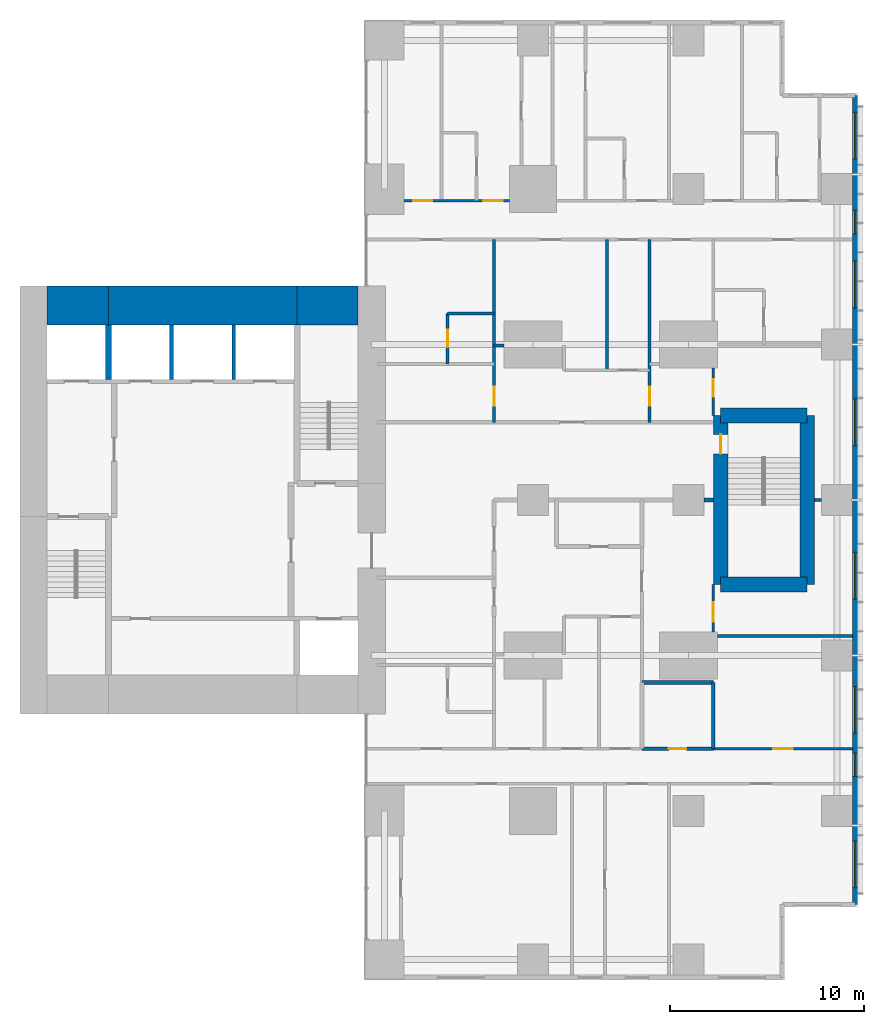
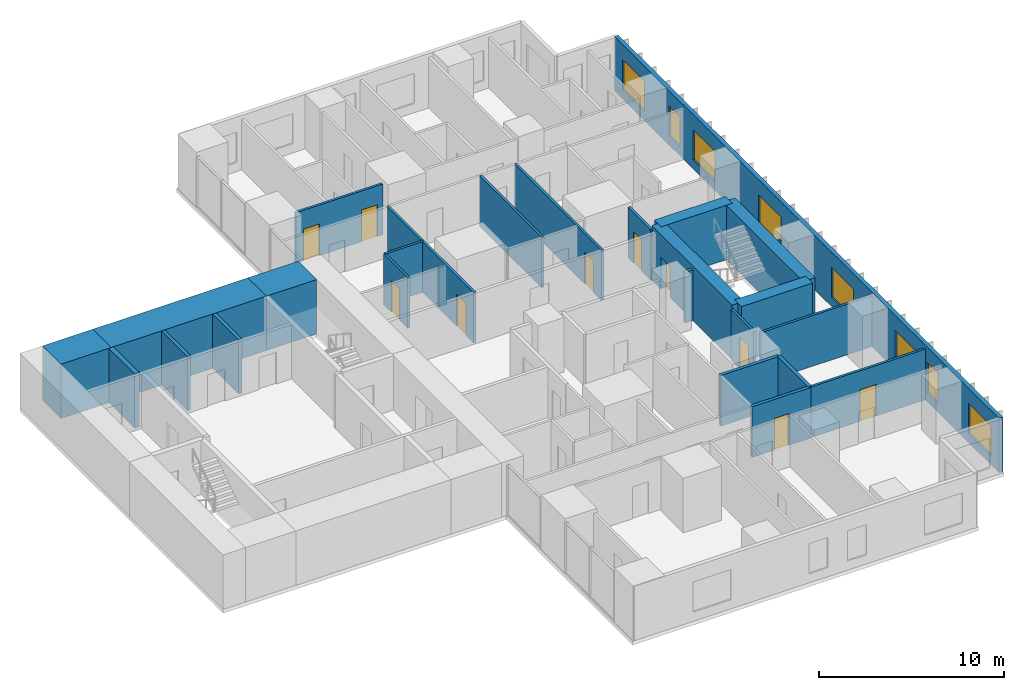
# One storey, part 9 of 12: 27 walls, 10 doors, 8 windows, 18 openings.
"""IFC4 building model written with IfcOpenShell, lengths in metres."""

import ifcopenshell
import ifcopenshell.guid

model = None  # the IFC model being written
_history = None  # IfcOwnerHistory: only IFC2X3 demands one
_inside = {}  # id of a spatial element -> (the spatial element, [elements in it])
_under = {}  # id of a project, library or spatial element -> (it, [spatial elements below it])
_declared = {}  # id of a project -> (the project, [libraries it declares])
_typed = {}  # id of a type object -> (the type object, [elements of that type])
_made_of = {}  # id of a material, layer set ... -> (it, [elements and type objects made of it])


def new_model(schema):
    """Start an empty IFC model of exactly this schema.

    Asked for "IFC4X3", IfcOpenShell would pick the latest addendum, in which some entities
    have other attributes; the version numbers below select the first issue.
    IFC2X3 requires an IfcOwnerHistory on every rooted entity: one is made here for all.
    """
    global model, _history
    if schema == "IFC4X3":
        model = ifcopenshell.file(schema_version=(4, 3, 0, 0))
    else:
        model = ifcopenshell.file(schema=schema)
    _inside.clear()
    _under.clear()
    _declared.clear()
    _typed.clear()
    _made_of.clear()
    _history = None
    if model.schema == "IFC2X3":
        org = make("IfcOrganization", Name="unknown")
        user = make(
            "IfcPersonAndOrganization",
            ThePerson=make("IfcPerson", FamilyName="unknown"),
            TheOrganization=org,
        )
        app = make(
            "IfcApplication",
            ApplicationDeveloper=org,
            Version="unknown",
            ApplicationFullName="unknown",
            ApplicationIdentifier="unknown",
        )
        _history = make(
            "IfcOwnerHistory",
            OwningUser=user,
            OwningApplication=app,
            ChangeAction="ADDED",
            CreationDate=0,
        )
    return model


def make(cls, **values):
    """One entity of the class cls with the attributes given. An attribute that is None is left unset."""
    return model.create_entity(
        cls, **{name: value for name, value in values.items() if value is not None}
    )


def rooted(cls, **values):
    """An entity with a GlobalId (a new one), such as an element, a storey or a relation."""
    return make(cls, GlobalId=ifcopenshell.guid.new(), OwnerHistory=_history, **values)


def si_unit(unit_type, name, prefix=None):
    """IfcSIUnit, for example si_unit("LENGTHUNIT", "METRE", prefix="MILLI")."""
    return make("IfcSIUnit", UnitType=unit_type, Prefix=prefix, Name=name)


def assignment(units):
    """IfcUnitAssignment: the units of a project."""
    return None if units is None else make("IfcUnitAssignment", Units=units)


def point(xyz):
    """IfcCartesianPoint."""
    return None if xyz is None else make("IfcCartesianPoint", Coordinates=xyz)


def direction(xyz):
    """IfcDirection."""
    return None if xyz is None else make("IfcDirection", DirectionRatios=xyz)


def frame(location, z_axis=None, x_axis=None):
    """IfcAxis2Placement3D, a coordinate frame: its origin and axes. An axis left out is left unset."""
    return make(
        "IfcAxis2Placement3D",
        Location=point(location),
        Axis=direction(z_axis),
        RefDirection=direction(x_axis),
    )


def frame_2d(location, x_axis=None):
    """IfcAxis2Placement2D, a coordinate frame in the plane: its origin and x axis."""
    return make(
        "IfcAxis2Placement2D", Location=point(location), RefDirection=direction(x_axis)
    )


def origin():
    """The frame at (0, 0, 0) with its axes left unset."""
    return frame((0.0, 0.0, 0.0))


def place(relative_to, where):
    """IfcLocalPlacement: puts the frame where relative to a parent placement (None: the world)."""
    return make(
        "IfcLocalPlacement", PlacementRelTo=relative_to, RelativePlacement=where
    )


def context(
    kind, dimensions, precision=None, world=None, true_north=None, identifier=None
):
    """IfcGeometricRepresentationContext, for example the 3D "Model" context."""
    return make(
        "IfcGeometricRepresentationContext",
        ContextIdentifier=identifier,
        ContextType=kind,
        CoordinateSpaceDimension=dimensions,
        Precision=precision,
        WorldCoordinateSystem=world,
        TrueNorth=true_north,
    )


def subcontext(parent, identifier, kind, view, scale=None):
    """IfcGeometricRepresentationSubContext, for example "Body" below "Model"."""
    return make(
        "IfcGeometricRepresentationSubContext",
        ContextIdentifier=identifier,
        ContextType=kind,
        ParentContext=parent,
        TargetScale=scale,
        TargetView=view,
    )


def project(units=None, contexts=None):
    """IfcProject with its units and contexts."""
    return rooted(
        "IfcProject",
        Name="project",
        RepresentationContexts=contexts,
        UnitsInContext=assignment(units),
    )


def spatial(cls, under=None, at=None, **own):
    """A site, building, storey or space (cls), placed at a placement, below another one or the project."""
    s = rooted(cls, ObjectPlacement=at, **own)
    if under is not None:
        _under.setdefault(under.id(), (under, []))[1].append(s)
    return s


def profile(cls, at=None, kind="AREA", **sizes):
    """A parametric profile (cls). Its sizes go by their IFC names, for example OverallWidth=200.0."""
    return make(cls, ProfileType=kind, Position=at, **sizes)


def rectangle(**sizes):
    """IfcRectangleProfileDef."""
    return profile("IfcRectangleProfileDef", **sizes)


def extrude(swept, where, along, depth):
    """IfcExtrudedAreaSolid: the profile swept, set in the frame where, extruded along a direction by depth."""
    return make(
        "IfcExtrudedAreaSolid",
        SweptArea=swept,
        Position=where,
        ExtrudedDirection=direction(along),
        Depth=depth,
    )


def shape(context_of_items, identifier, shape_type, items):
    """IfcShapeRepresentation: the items that make up one representation, for example the "Body"."""
    return make(
        "IfcShapeRepresentation",
        ContextOfItems=context_of_items,
        RepresentationIdentifier=identifier,
        RepresentationType=shape_type,
        Items=items,
    )


def material(Name=None, Category=None):
    """IfcMaterial."""
    return make("IfcMaterial", Name=Name, Category=Category)


def layer(
    of_material, thickness, ventilated=None, Name=None, Category=None, Priority=None
):
    """IfcMaterialLayer: one layer of a wall or slab, of a material (None: an air gap)."""
    return make(
        "IfcMaterialLayer",
        Material=of_material,
        LayerThickness=thickness,
        IsVentilated=ventilated,
        Name=Name,
        Category=Category,
        Priority=Priority,
    )


def layer_set(layers, Name=None):
    """IfcMaterialLayerSet."""
    return make("IfcMaterialLayerSet", MaterialLayers=layers, LayerSetName=Name)


def made_of(thing, what):
    """Note that an element or type object is made of a material, layer set ...; save() writes the relation."""
    if what is not None:
        _made_of.setdefault(what.id(), (what, []))[1].append(thing)
    return thing


def type_object(cls, material=None, **own):
    """A type object (cls), such as IfcWallType, which elements share."""
    return made_of(rooted(cls, **own), material)


def element(
    cls,
    number,
    at=None,
    inside=None,
    cuts=None,
    type_object=None,
    material=None,
    context=None,
    identifier="Body",
    shape_type=None,
    held_by="IfcProductDefinitionShape",
    body=None,
    shapes=None,
    **own,
):
    """One element of the class cls, such as IfcWall. Its Tag is "e" and its number.

    at: its placement. inside: the storey or other place that contains it. cuts: it is an
    opening in that element (IfcRelVoidsElement). A single representation is given by context,
    identifier, shape_type and body (its items); several are given by shapes. held_by: the class
    of the entity that holds the representations. save() writes the other relations.
    """
    e = rooted(cls, Tag="e%d" % number, ObjectPlacement=at, **own)
    if body is not None:
        shapes = [shape(context, identifier, shape_type, body)]
    if shapes is not None:
        e.Representation = make(held_by, Representations=shapes)
    if inside is not None:
        _inside.setdefault(inside.id(), (inside, []))[1].append(e)
    if cuts is not None:
        rooted(
            "IfcRelVoidsElement", RelatingBuildingElement=cuts, RelatedOpeningElement=e
        )
    if type_object is not None:
        _typed.setdefault(type_object.id(), (type_object, []))[1].append(e)
    return made_of(e, material)


def fill(opening, filler):
    """IfcRelFillsElement: the door or window that sits in an opening."""
    return rooted(
        "IfcRelFillsElement",
        RelatingOpeningElement=opening,
        RelatedBuildingElement=filler,
    )


def aggregate(whole, parts):
    """IfcRelAggregates: a whole, such as a stair, and the parts it consists of."""
    return rooted("IfcRelAggregates", RelatingObject=whole, RelatedObjects=parts)


def save(model, path):
    """Write the relations noted so far, then the file.

    IfcRelAggregates (storeys below a building ...), IfcRelContainedInSpatialStructure (elements
    in a storey), IfcRelDefinesByType, IfcRelAssociatesMaterial and IfcRelDeclares: one each for
    every whole, place, type object, material and project.
    """
    for whole, parts in _under.values():
        aggregate(whole, parts)
    for where, things in _inside.values():
        rooted(
            "IfcRelContainedInSpatialStructure",
            RelatedElements=things,
            RelatingStructure=where,
        )
    for kind, things in _typed.values():
        rooted("IfcRelDefinesByType", RelatedObjects=things, RelatingType=kind)
    for what, things in _made_of.values():
        rooted("IfcRelAssociatesMaterial", RelatedObjects=things, RelatingMaterial=what)
    for by, libraries in _declared.values():
        rooted("IfcRelDeclares", RelatingContext=by, RelatedDefinitions=libraries)
    model.write(path)


model = new_model("IFC4")

# Units and contexts
model_context = context("Model", 3, precision=1e-05, world=origin(), true_north=direction((0.0, 1.0)))
body_context = subcontext(model_context, "Body", "Model", "MODEL_VIEW")
ifc_project = project(units=[si_unit("LENGTHUNIT", "METRE"), si_unit("AREAUNIT", "SQUARE_METRE"), si_unit("VOLUMEUNIT", "CUBIC_METRE"), si_unit("PLANEANGLEUNIT", "RADIAN"), si_unit("MASSUNIT", "GRAM", prefix="KILO")], contexts=[model_context])

# Site, building, storey
site_placement = place(None, origin())
site = spatial("IfcSite", under=ifc_project, at=site_placement, CompositionType="ELEMENT")
building_placement = place(site_placement, origin())
building = spatial("IfcBuilding", under=site, at=building_placement, Name="Cleftline Residences", CompositionType="ELEMENT")
storey_placement = place(building_placement, frame((0.0, 0.0, 255.60009765625)))
storey = spatial("IfcBuildingStorey", under=building, at=storey_placement, Name="L67", CompositionType="ELEMENT", Elevation=255.60009765625)

# Walls
ifc_material_1 = material(Name="Concrete B70", Category="concrete")
ifc_layer_1 = layer(ifc_material_1, 2.0)
ifc_layer_set_1 = layer_set([ifc_layer_1], Name="CORE WALL 2000")
wall_type_1 = type_object("IfcWallType", Name="CORE WALL 2000", PredefinedType="SHEAR", material=ifc_layer_set_1)
wall_1_placement = place(storey_placement, frame((25.0, 34.0, 0.0), z_axis=(0.0, 0.0, 1.0), x_axis=(1.0, 0.0, 0.0)))
element("IfcWall", 1, at=wall_1_placement, inside=storey, type_object=wall_type_1, Name="Core wall N1", PredefinedType="SHEAR", context=body_context, shape_type="SweptSolid", body=[
    extrude(rectangle(XDim=3.14990234375, YDim=2.0, at=frame_2d((1.574951171875, 0.0))), origin(), (0.0, 0.0, 1.0), 3.599853515625),
])
wall_2_placement = place(storey_placement, frame((28.14990234375, 34.0, 0.0), z_axis=(0.0, 0.0, 1.0), x_axis=(1.0, 0.0, 0.0)))
element("IfcWall", 2, at=wall_2_placement, inside=storey, type_object=wall_type_1, Name="Core wall N2", PredefinedType="SHEAR", context=body_context, shape_type="SweptSolid", body=[
    extrude(rectangle(XDim=9.7001953125, YDim=2.0, at=frame_2d((4.85009765625, 0.0))), origin(), (0.0, 0.0, 1.0), 3.599853515625),
])
wall_3_placement = place(storey_placement, frame((37.85009765625, 34.0, 0.0), z_axis=(0.0, 0.0, 1.0), x_axis=(1.0, 0.0, 0.0)))
element("IfcWall", 3, at=wall_3_placement, inside=storey, type_object=wall_type_1, Name="Core wall N3", PredefinedType="SHEAR", context=body_context, shape_type="SweptSolid", body=[
    extrude(rectangle(XDim=3.14990234375, YDim=2.0, at=frame_2d((1.574951171875, 0.0))), origin(), (0.0, 0.0, 1.0), 3.599853515625),
])
ifc_material_2 = material(Name="Concrete B70", Category="concrete")
ifc_layer_2 = layer(ifc_material_2, 0.300048828125)
ifc_layer_set_2 = layer_set([ifc_layer_2], Name="CORE WALL 300")
wall_type_2 = type_object("IfcWallType", Name="CORE WALL 300", PredefinedType="SHEAR", material=ifc_layer_set_2)
wall_4_placement = place(storey_placement, frame((28.14990234375, 30.199951171875, 0.0), z_axis=(0.0, 0.0, 1.0), x_axis=(0.0, 1.0, 0.0)))
element("IfcWall", 4, at=wall_4_placement, inside=storey, type_object=wall_type_2, Name="Lift shaft wall", PredefinedType="SHEAR", context=body_context, shape_type="SweptSolid", body=[
    extrude(rectangle(XDim=2.800048828125, YDim=0.300048828125, at=frame_2d((1.39990234375, 0.0))), origin(), (0.0, 0.0, 1.0), 3.599853515625),
])

# Wall, openings, windows
ifc_material_3 = material(Name="Rendered reinforced concrete blockwork", Category="masonry")
ifc_layer_3 = layer(ifc_material_3, 0.25)
ifc_layer_set_3 = layer_set([ifc_layer_3], Name="EXTERNAL WALL 250")
wall_type_3 = type_object("IfcWallType", Name="EXTERNAL WALL 250", PredefinedType="SOLIDWALL", material=ifc_layer_set_3)
wall_5_placement = place(storey_placement, frame((66.574951171875, 3.175048828125, 0.0), z_axis=(0.0, 0.0, 1.0), x_axis=(0.0, 1.0, 0.0)))
wall_5 = element("IfcWall", 5, at=wall_5_placement, inside=storey, type_object=wall_type_3, Name="External wall", PredefinedType="SOLIDWALL", context=body_context, shape_type="SweptSolid", body=[
    extrude(rectangle(XDim=41.64990234375, YDim=0.25, at=frame_2d((20.824951171875, 0.0))), origin(), (0.0, 0.0, 1.0), 3.599853515625),
])
opening_1_placement = place(wall_5_placement, frame((0.875, 0.0, 0.60009765625)))
opening_1 = element("IfcOpeningElement", 6, at=opening_1_placement, cuts=wall_5, Name="Opening W6", PredefinedType="OPENING", context=body_context, shape_type="SweptSolid", body=[
    extrude(rectangle(XDim=2.39990234375, YDim=2.0, at=frame_2d((1.199951171875, 1.0))), frame((0.0, 0.135009765625, 0.0), z_axis=(0.0, -1.0, 0.0), x_axis=(1.0, 0.0, 0.0)), (0.0, 0.0, 1.0), 0.27001953125),
])
opening_2_placement = place(wall_5_placement, frame((6.60009765625, 0.0, 0.60009765625)))
opening_2 = element("IfcOpeningElement", 7, at=opening_2_placement, cuts=wall_5, Name="Opening W8", PredefinedType="OPENING", context=body_context, shape_type="SweptSolid", body=[
    extrude(rectangle(XDim=1.199951171875, YDim=2.0, at=frame_2d((0.60009765625, 1.0))), frame((0.0, 0.135009765625, 0.0), z_axis=(0.0, -1.0, 0.0), x_axis=(1.0, 0.0, 0.0)), (0.0, 0.0, 1.0), 0.27001953125),
])
opening_3_placement = place(wall_5_placement, frame((8.824951171875, 0.0, 0.60009765625)))
opening_3 = element("IfcOpeningElement", 8, at=opening_3_placement, cuts=wall_5, Name="Opening W6", PredefinedType="OPENING", context=body_context, shape_type="SweptSolid", body=[
    extrude(rectangle(XDim=2.39990234375, YDim=2.0, at=frame_2d((1.199951171875, 1.0))), frame((0.0, 0.135009765625, 0.0), z_axis=(0.0, -1.0, 0.0), x_axis=(1.0, 0.0, 0.0)), (0.0, 0.0, 1.0), 0.27001953125),
])
opening_4_placement = place(wall_5_placement, frame((15.72509765625, 0.0, 0.60009765625)))
opening_4 = element("IfcOpeningElement", 9, at=opening_4_placement, cuts=wall_5, Name="Opening W6", PredefinedType="OPENING", context=body_context, shape_type="SweptSolid", body=[
    extrude(rectangle(XDim=2.39990234375, YDim=2.0, at=frame_2d((1.199951171875, 1.0))), frame((0.0, 0.135009765625, 0.0), z_axis=(0.0, -1.0, 0.0), x_axis=(1.0, 0.0, 0.0)), (0.0, 0.0, 1.0), 0.27001953125),
])
opening_5_placement = place(wall_5_placement, frame((23.625, 0.0, 0.60009765625)))
opening_5 = element("IfcOpeningElement", 10, at=opening_5_placement, cuts=wall_5, Name="Opening W6", PredefinedType="OPENING", context=body_context, shape_type="SweptSolid", body=[
    extrude(rectangle(XDim=2.39990234375, YDim=2.0, at=frame_2d((1.199951171875, 1.0))), frame((0.0, 0.135009765625, 0.0), z_axis=(0.0, -1.0, 0.0), x_axis=(1.0, 0.0, 0.0)), (0.0, 0.0, 1.0), 0.27001953125),
])
opening_6_placement = place(wall_5_placement, frame((30.72509765625, 0.0, 0.60009765625)))
opening_6 = element("IfcOpeningElement", 11, at=opening_6_placement, cuts=wall_5, Name="Opening W6", PredefinedType="OPENING", context=body_context, shape_type="SweptSolid", body=[
    extrude(rectangle(XDim=2.39990234375, YDim=2.0, at=frame_2d((1.199951171875, 1.0))), frame((0.0, 0.135009765625, 0.0), z_axis=(0.0, -1.0, 0.0), x_axis=(1.0, 0.0, 0.0)), (0.0, 0.0, 1.0), 0.27001953125),
])
opening_7_placement = place(wall_5_placement, frame((34.52490234375, 0.0, 0.60009765625)))
opening_7 = element("IfcOpeningElement", 12, at=opening_7_placement, cuts=wall_5, Name="Opening W8", PredefinedType="OPENING", context=body_context, shape_type="SweptSolid", body=[
    extrude(rectangle(XDim=1.199951171875, YDim=2.0, at=frame_2d((0.60009765625, 1.0))), frame((0.0, 0.135009765625, 0.0), z_axis=(0.0, -1.0, 0.0), x_axis=(1.0, 0.0, 0.0)), (0.0, 0.0, 1.0), 0.27001953125),
])
opening_8_placement = place(wall_5_placement, frame((38.375, 0.0, 0.60009765625)))
opening_8 = element("IfcOpeningElement", 13, at=opening_8_placement, cuts=wall_5, Name="Opening W6", PredefinedType="OPENING", context=body_context, shape_type="SweptSolid", body=[
    extrude(rectangle(XDim=2.39990234375, YDim=2.0, at=frame_2d((1.199951171875, 1.0))), frame((0.0, 0.135009765625, 0.0), z_axis=(0.0, -1.0, 0.0), x_axis=(1.0, 0.0, 0.0)), (0.0, 0.0, 1.0), 0.27001953125),
])
ifc_material_4 = material(Name="Aluminium frame, clear double glazing", Category="aluminium")
window_type_1 = type_object("IfcWindowType", Name="WINDOW 1200X2000", PartitioningType="DOUBLE_PANEL_VERTICAL", PredefinedType="WINDOW", material=ifc_material_4)
window_1_placement = place(opening_2_placement, origin())
window_1 = element("IfcWindow", 14, at=window_1_placement, inside=storey, type_object=window_type_1, Name="Window", OverallHeight=2.0, OverallWidth=1.199951171875, PartitioningType="SINGLE_PANEL", PredefinedType="WINDOW", context=body_context, shape_type="SweptSolid", body=[
    extrude(rectangle(XDim=1.199951171875, YDim=2.0, at=frame_2d((0.60009765625, 1.0))), frame((0.0, 0.030029296875, 0.0), z_axis=(0.0, -1.0, 0.0), x_axis=(1.0, 0.0, 0.0)), (0.0, 0.0, 1.0), 0.06005859375),
])
fill(opening_2, window_1)
window_2_placement = place(opening_7_placement, origin())
window_2 = element("IfcWindow", 15, at=window_2_placement, inside=storey, type_object=window_type_1, Name="Window", OverallHeight=2.0, OverallWidth=1.199951171875, PartitioningType="SINGLE_PANEL", PredefinedType="WINDOW", context=body_context, shape_type="SweptSolid", body=[
    extrude(rectangle(XDim=1.199951171875, YDim=2.0, at=frame_2d((0.60009765625, 1.0))), frame((0.0, 0.030029296875, 0.0), z_axis=(0.0, -1.0, 0.0), x_axis=(1.0, 0.0, 0.0)), (0.0, 0.0, 1.0), 0.06005859375),
])
fill(opening_7, window_2)
ifc_material_5 = material(Name="Aluminium frame, clear double glazing", Category="aluminium")
window_type_2 = type_object("IfcWindowType", Name="WINDOW 2400X2000", PartitioningType="DOUBLE_PANEL_VERTICAL", PredefinedType="WINDOW", material=ifc_material_5)
window_3_placement = place(opening_1_placement, origin())
window_3 = element("IfcWindow", 16, at=window_3_placement, inside=storey, type_object=window_type_2, Name="Window", OverallHeight=2.0, OverallWidth=2.39990234375, PartitioningType="SINGLE_PANEL", PredefinedType="WINDOW", context=body_context, shape_type="SweptSolid", body=[
    extrude(rectangle(XDim=2.39990234375, YDim=2.0, at=frame_2d((1.199951171875, 1.0))), frame((0.0, 0.030029296875, 0.0), z_axis=(0.0, -1.0, 0.0), x_axis=(1.0, 0.0, 0.0)), (0.0, 0.0, 1.0), 0.06005859375),
])
fill(opening_1, window_3)
window_4_placement = place(opening_3_placement, origin())
window_4 = element("IfcWindow", 17, at=window_4_placement, inside=storey, type_object=window_type_2, Name="Window", OverallHeight=2.0, OverallWidth=2.39990234375, PartitioningType="SINGLE_PANEL", PredefinedType="WINDOW", context=body_context, shape_type="SweptSolid", body=[
    extrude(rectangle(XDim=2.39990234375, YDim=2.0, at=frame_2d((1.199951171875, 1.0))), frame((0.0, 0.030029296875, 0.0), z_axis=(0.0, -1.0, 0.0), x_axis=(1.0, 0.0, 0.0)), (0.0, 0.0, 1.0), 0.06005859375),
])
fill(opening_3, window_4)
window_5_placement = place(opening_4_placement, origin())
window_5 = element("IfcWindow", 18, at=window_5_placement, inside=storey, type_object=window_type_2, Name="Window", OverallHeight=2.0, OverallWidth=2.39990234375, PartitioningType="SINGLE_PANEL", PredefinedType="WINDOW", context=body_context, shape_type="SweptSolid", body=[
    extrude(rectangle(XDim=2.39990234375, YDim=2.0, at=frame_2d((1.199951171875, 1.0))), frame((0.0, 0.030029296875, 0.0), z_axis=(0.0, -1.0, 0.0), x_axis=(1.0, 0.0, 0.0)), (0.0, 0.0, 1.0), 0.06005859375),
])
fill(opening_4, window_5)
window_6_placement = place(opening_5_placement, origin())
window_6 = element("IfcWindow", 19, at=window_6_placement, inside=storey, type_object=window_type_2, Name="Window", OverallHeight=2.0, OverallWidth=2.39990234375, PartitioningType="SINGLE_PANEL", PredefinedType="WINDOW", context=body_context, shape_type="SweptSolid", body=[
    extrude(rectangle(XDim=2.39990234375, YDim=2.0, at=frame_2d((1.199951171875, 1.0))), frame((0.0, 0.030029296875, 0.0), z_axis=(0.0, -1.0, 0.0), x_axis=(1.0, 0.0, 0.0)), (0.0, 0.0, 1.0), 0.06005859375),
])
fill(opening_5, window_6)
window_7_placement = place(opening_6_placement, origin())
window_7 = element("IfcWindow", 20, at=window_7_placement, inside=storey, type_object=window_type_2, Name="Window", OverallHeight=2.0, OverallWidth=2.39990234375, PartitioningType="SINGLE_PANEL", PredefinedType="WINDOW", context=body_context, shape_type="SweptSolid", body=[
    extrude(rectangle(XDim=2.39990234375, YDim=2.0, at=frame_2d((1.199951171875, 1.0))), frame((0.0, 0.030029296875, 0.0), z_axis=(0.0, -1.0, 0.0), x_axis=(1.0, 0.0, 0.0)), (0.0, 0.0, 1.0), 0.06005859375),
])
fill(opening_6, window_7)
window_8_placement = place(opening_8_placement, origin())
window_8 = element("IfcWindow", 21, at=window_8_placement, inside=storey, type_object=window_type_2, Name="Window", OverallHeight=2.0, OverallWidth=2.39990234375, PartitioningType="SINGLE_PANEL", PredefinedType="WINDOW", context=body_context, shape_type="SweptSolid", body=[
    extrude(rectangle(XDim=2.39990234375, YDim=2.0, at=frame_2d((1.199951171875, 1.0))), frame((0.0, 0.030029296875, 0.0), z_axis=(0.0, -1.0, 0.0), x_axis=(1.0, 0.0, 0.0)), (0.0, 0.0, 1.0), 0.06005859375),
])
fill(opening_8, window_8)

# Wall, opening, door
ifc_material_6 = material(Name="Concrete blockwork, fire rated", Category="masonry")
ifc_layer_4 = layer(ifc_material_6, 0.199951171875)
ifc_layer_set_4 = layer_set([ifc_layer_4], Name="FIRE WALL 200")
wall_type_4 = type_object("IfcWallType", Name="FIRE WALL 200", PredefinedType="PARTITIONING", material=ifc_layer_set_4)
wall_6_placement = place(storey_placement, frame((55.60009765625, 11.199951171875, 0.0), z_axis=(0.0, 0.0, 1.0), x_axis=(1.0, 0.0, 0.0)))
wall_6 = element("IfcWall", 22, at=wall_6_placement, inside=storey, type_object=wall_type_4, Name="Fire separating wall", PredefinedType="PARTITIONING", context=body_context, shape_type="SweptSolid", body=[
    extrude(rectangle(XDim=3.6748046875, YDim=0.199951171875, at=frame_2d((1.83740234375, 0.0))), origin(), (0.0, 0.0, 1.0), 3.349853515625),
])
opening_9_placement = place(wall_6_placement, frame((1.387451171875, 0.0, 0.0)))
opening_9 = element("IfcOpeningElement", 23, at=opening_9_placement, cuts=wall_6, Name="Opening D1F30", PredefinedType="OPENING", context=body_context, shape_type="SweptSolid", body=[
    extrude(rectangle(XDim=0.89990234375, YDim=2.10009765625, at=frame_2d((0.449951171875, 1.050048828125))), frame((0.0, 0.10986328125, 0.0), z_axis=(0.0, -1.0, 0.0), x_axis=(1.0, 0.0, 0.0)), (0.0, 0.0, 1.0), 0.219970703125),
])
ifc_material_7 = material(Name="Timber veneer on solid core", Category="wood")
door_type_1 = type_object("IfcDoorType", Name="DOOR 900X2100 EI 30", OperationType="SINGLE_SWING_LEFT", PredefinedType="DOOR", material=ifc_material_7)
door_1_placement = place(opening_9_placement, origin())
door_1 = element("IfcDoor", 24, at=door_1_placement, inside=storey, type_object=door_type_1, Name="Door to guest wc", OperationType="SINGLE_SWING_LEFT", OverallHeight=2.10009765625, OverallWidth=0.89990234375, PredefinedType="DOOR", context=body_context, shape_type="SweptSolid", body=[
    extrude(rectangle(XDim=0.89990234375, YDim=2.10009765625, at=frame_2d((0.449951171875, 1.050048828125))), frame((0.0, 0.02490234375, 0.0), z_axis=(0.0, -1.0, 0.0), x_axis=(1.0, 0.0, 0.0)), (0.0, 0.0, 1.0), 0.050048828125),
])
fill(opening_9, door_1)

# Walls
wall_7_placement = place(storey_placement, frame((55.60009765625, 14.60009765625, 0.0), z_axis=(0.0, 0.0, 1.0), x_axis=(1.0, 0.0, 0.0)))
element("IfcWall", 25, at=wall_7_placement, inside=storey, type_object=wall_type_4, Name="Fire separating wall", PredefinedType="PARTITIONING", context=body_context, shape_type="SweptSolid", body=[
    extrude(rectangle(XDim=3.6748046875, YDim=0.199951171875, at=frame_2d((1.83740234375, 0.0))), origin(), (0.0, 0.0, 1.0), 3.349853515625),
])
wall_8_placement = place(storey_placement, frame((58.800048828125, 24.0, 0.0), z_axis=(0.0, 0.0, 1.0), x_axis=(1.0, 0.0, 0.0)))
element("IfcWall", 26, at=wall_8_placement, inside=storey, type_object=wall_type_4, Name="Fire separating wall", PredefinedType="PARTITIONING", context=body_context, shape_type="SweptSolid", body=[
    extrude(rectangle(XDim=0.474853515625, YDim=0.199951171875, at=frame_2d((0.2373046875, 0.0))), origin(), (0.0, 0.0, 1.0), 3.349853515625),
])
wall_9_placement = place(storey_placement, frame((59.27490234375, 11.199951171875, 0.0), z_axis=(0.0, 0.0, 1.0), x_axis=(0.0, 1.0, 0.0)))
element("IfcWall", 27, at=wall_9_placement, inside=storey, type_object=wall_type_4, Name="Fire separating wall", PredefinedType="PARTITIONING", context=body_context, shape_type="SweptSolid", body=[
    extrude(rectangle(XDim=3.400146484375, YDim=0.199951171875, at=frame_2d((1.7001953125, 0.0))), origin(), (0.0, 0.0, 1.0), 3.349853515625),
])

# Wall, opening, door
ifc_material_8 = material(Name="Gypsum board on steel studs", Category="steel")
ifc_layer_5 = layer(ifc_material_8, 0.14990234375)
ifc_layer_set_5 = layer_set([ifc_layer_5], Name="PARTITION 150")
wall_type_5 = type_object("IfcWallType", Name="PARTITION 150", PredefinedType="PARTITIONING", material=ifc_layer_set_5)
wall_10_placement = place(storey_placement, frame((59.27490234375, 11.199951171875, 0.0), z_axis=(0.0, 0.0, 1.0), x_axis=(1.0, 0.0, 0.0)))
wall_10 = element("IfcWall", 28, at=wall_10_placement, inside=storey, type_object=wall_type_5, Name="Partition", PredefinedType="PARTITIONING", context=body_context, shape_type="SweptSolid", body=[
    extrude(rectangle(XDim=7.175048828125, YDim=0.14990234375, at=frame_2d((3.58740234375, 0.0))), origin(), (0.0, 0.0, 1.0), 3.349853515625),
])
opening_10_placement = place(wall_10_placement, frame((3.08740234375, 0.0, 0.0)))
opening_10 = element("IfcOpeningElement", 29, at=opening_10_placement, cuts=wall_10, Name="Opening D2", PredefinedType="OPENING", context=body_context, shape_type="SweptSolid", body=[
    extrude(rectangle(XDim=1.0, YDim=2.10009765625, at=frame_2d((0.5, 1.050048828125))), frame((0.0, 0.0849609375, 0.0), z_axis=(0.0, -1.0, 0.0), x_axis=(1.0, 0.0, 0.0)), (0.0, 0.0, 1.0), 0.169921875),
])
ifc_material_9 = material(Name="Timber veneer on solid core", Category="wood")
door_type_2 = type_object("IfcDoorType", Name="DOOR 1000X2100", OperationType="SINGLE_SWING_LEFT", PredefinedType="DOOR", material=ifc_material_9)
door_2_placement = place(opening_10_placement, origin())
door_2 = element("IfcDoor", 30, at=door_2_placement, inside=storey, type_object=door_type_2, Name="Door to sea-view living room", OperationType="SINGLE_SWING_LEFT", OverallHeight=2.10009765625, OverallWidth=1.0, PredefinedType="DOOR", context=body_context, shape_type="SweptSolid", body=[
    extrude(rectangle(XDim=1.0, YDim=2.10009765625, at=frame_2d((0.5, 1.050048828125))), frame((0.0, 0.02490234375, 0.0), z_axis=(0.0, -1.0, 0.0), x_axis=(1.0, 0.0, 0.0)), (0.0, 0.0, 1.0), 0.050048828125),
])
fill(opening_10, door_2)

# Walls
wall_11_placement = place(storey_placement, frame((59.5, 17.0, 0.0), z_axis=(0.0, 0.0, 1.0), x_axis=(1.0, 0.0, 0.0)))
element("IfcWall", 31, at=wall_11_placement, inside=storey, type_object=wall_type_5, Name="Partition", PredefinedType="PARTITIONING", context=body_context, shape_type="SweptSolid", body=[
    extrude(rectangle(XDim=6.949951171875, YDim=0.14990234375, at=frame_2d((3.47509765625, 0.0))), origin(), (0.0, 0.0, 1.0), 3.349853515625),
])
wall_12_placement = place(storey_placement, frame((64.47509765625, 24.0, 0.0), z_axis=(0.0, 0.0, 1.0), x_axis=(1.0, 0.0, 0.0)))
element("IfcWall", 32, at=wall_12_placement, inside=storey, type_object=wall_type_5, Name="Partition", PredefinedType="PARTITIONING", context=body_context, shape_type="SweptSolid", body=[
    extrude(rectangle(XDim=0.375, YDim=0.14990234375, at=frame_2d((0.1875, 0.0))), origin(), (0.0, 0.0, 1.0), 3.349853515625),
])
wall_13_placement = place(storey_placement, frame((48.0, 31.949951171875, 0.0), z_axis=(0.0, 0.0, 1.0), x_axis=(1.0, 0.0, 0.0)))
element("IfcWall", 33, at=wall_13_placement, inside=storey, type_object=wall_type_5, Name="Partition", PredefinedType="PARTITIONING", context=body_context, shape_type="SweptSolid", body=[
    extrude(rectangle(XDim=0.5, YDim=0.14990234375, at=frame_2d((0.25, 0.0))), origin(), (0.0, 0.0, 1.0), 2.6337890625),
])
wall_14_placement = place(storey_placement, frame((45.60009765625, 33.60009765625, 0.0), z_axis=(0.0, 0.0, 1.0), x_axis=(1.0, 0.0, 0.0)))
element("IfcWall", 34, at=wall_14_placement, inside=storey, type_object=wall_type_5, Name="Partition", PredefinedType="PARTITIONING", context=body_context, shape_type="SweptSolid", body=[
    extrude(rectangle(XDim=2.39990234375, YDim=0.14990234375, at=frame_2d((1.199951171875, 0.0))), origin(), (0.0, 0.0, 1.0), 3.349853515625),
])

# Wall, openings, doors
wall_15_placement = place(storey_placement, frame((43.35009765625, 39.39990234375, 0.0), z_axis=(0.0, 0.0, 1.0), x_axis=(1.0, 0.0, 0.0)))
wall_15 = element("IfcWall", 35, at=wall_15_placement, inside=storey, type_object=wall_type_5, Name="Partition", PredefinedType="PARTITIONING", context=body_context, shape_type="SweptSolid", body=[
    extrude(rectangle(XDim=5.449951171875, YDim=0.14990234375, at=frame_2d((2.72509765625, 0.0))), origin(), (0.0, 0.0, 1.0), 3.349853515625),
])
opening_11_placement = place(wall_15_placement, frame((4.10009765625, 0.0, 0.0)))
opening_11 = element("IfcOpeningElement", 36, at=opening_11_placement, cuts=wall_15, Name="Opening D2", PredefinedType="OPENING", context=body_context, shape_type="SweptSolid", body=[
    extrude(rectangle(XDim=1.0, YDim=2.10009765625, at=frame_2d((0.5, 1.050048828125))), frame((0.0, 0.0849609375, 0.0), z_axis=(0.0, -1.0, 0.0), x_axis=(1.0, 0.0, 0.0)), (0.0, 0.0, 1.0), 0.169921875),
])
opening_12_placement = place(wall_15_placement, frame((0.47509765625, 0.0, 0.0)))
opening_12 = element("IfcOpeningElement", 37, at=opening_12_placement, cuts=wall_15, Name="Opening D2", PredefinedType="OPENING", context=body_context, shape_type="SweptSolid", body=[
    extrude(rectangle(XDim=1.0, YDim=2.10009765625, at=frame_2d((0.5, 1.050048828125))), frame((0.0, 0.0849609375, 0.0), z_axis=(0.0, -1.0, 0.0), x_axis=(1.0, 0.0, 0.0)), (0.0, 0.0, 1.0), 0.169921875),
])
door_3_placement = place(opening_11_placement, origin())
door_3 = element("IfcDoor", 38, at=door_3_placement, inside=storey, type_object=door_type_2, Name="Door to bedroom 4", OperationType="SINGLE_SWING_LEFT", OverallHeight=2.10009765625, OverallWidth=1.0, PredefinedType="DOOR", context=body_context, shape_type="SweptSolid", body=[
    extrude(rectangle(XDim=1.0, YDim=2.10009765625, at=frame_2d((0.5, 1.050048828125))), frame((0.0, 0.02490234375, 0.0), z_axis=(0.0, -1.0, 0.0), x_axis=(1.0, 0.0, 0.0)), (0.0, 0.0, 1.0), 0.050048828125),
])
fill(opening_11, door_3)
door_4_placement = place(opening_12_placement, origin())
door_4 = element("IfcDoor", 39, at=door_4_placement, inside=storey, type_object=door_type_2, Name="Door to gym", OperationType="SINGLE_SWING_RIGHT", OverallHeight=2.10009765625, OverallWidth=1.0, PredefinedType="DOOR", context=body_context, shape_type="SweptSolid", body=[
    extrude(rectangle(XDim=1.0, YDim=2.10009765625, at=frame_2d((0.5, 1.050048828125))), frame((0.0, 0.02490234375, 0.0), z_axis=(0.0, -1.0, 0.0), x_axis=(1.0, 0.0, 0.0)), (0.0, 0.0, 1.0), 0.050048828125),
])
fill(opening_12, door_4)

# Wall, opening, door
wall_16_placement = place(storey_placement, frame((45.60009765625, 31.0, 0.0), z_axis=(0.0, 0.0, 1.0), x_axis=(0.0, 1.0, 0.0)))
wall_16 = element("IfcWall", 40, at=wall_16_placement, inside=storey, type_object=wall_type_5, Name="Partition", PredefinedType="PARTITIONING", context=body_context, shape_type="SweptSolid", body=[
    extrude(rectangle(XDim=2.60009765625, YDim=0.14990234375, at=frame_2d((1.300048828125, 0.0))), origin(), (0.0, 0.0, 1.0), 3.349853515625),
])
opening_13_placement = place(wall_16_placement, frame((0.85009765625, 0.0, 0.0)))
opening_13 = element("IfcOpeningElement", 41, at=opening_13_placement, cuts=wall_16, Name="Opening D1", PredefinedType="OPENING", context=body_context, shape_type="SweptSolid", body=[
    extrude(rectangle(XDim=0.89990234375, YDim=2.10009765625, at=frame_2d((0.449951171875, 1.050048828125))), frame((0.0, 0.0849609375, 0.0), z_axis=(0.0, -1.0, 0.0), x_axis=(1.0, 0.0, 0.0)), (0.0, 0.0, 1.0), 0.169921875),
])
ifc_material_10 = material(Name="Timber veneer on solid core", Category="wood")
door_type_3 = type_object("IfcDoorType", Name="DOOR 900X2100", OperationType="SINGLE_SWING_LEFT", PredefinedType="DOOR", material=ifc_material_10)
door_5_placement = place(opening_13_placement, origin())
door_5 = element("IfcDoor", 42, at=door_5_placement, inside=storey, type_object=door_type_3, Name="Door to en-suite bathroom 5", OperationType="SINGLE_SWING_LEFT", OverallHeight=2.10009765625, OverallWidth=0.89990234375, PredefinedType="DOOR", context=body_context, shape_type="SweptSolid", body=[
    extrude(rectangle(XDim=0.89990234375, YDim=2.10009765625, at=frame_2d((0.449951171875, 1.050048828125))), frame((0.0, 0.02490234375, 0.0), z_axis=(0.0, -1.0, 0.0), x_axis=(1.0, 0.0, 0.0)), (0.0, 0.0, 1.0), 0.050048828125),
])
fill(opening_13, door_5)

wall_17_placement = place(storey_placement, frame((48.0, 28.0, 0.0), z_axis=(0.0, 0.0, 1.0), x_axis=(0.0, 1.0, 0.0)))
wall_17 = element("IfcWall", 43, at=wall_17_placement, inside=storey, type_object=wall_type_5, Name="Partition", PredefinedType="PARTITIONING", context=body_context, shape_type="SweptSolid", body=[
    extrude(rectangle(XDim=9.39990234375, YDim=0.14990234375, at=frame_2d((4.699951171875, 0.0))), origin(), (0.0, 0.0, 1.0), 3.349853515625),
])
opening_14_placement = place(wall_17_placement, frame((0.83740234375, 0.0, 0.0)))
opening_14 = element("IfcOpeningElement", 44, at=opening_14_placement, cuts=wall_17, Name="Opening D2", PredefinedType="OPENING", context=body_context, shape_type="SweptSolid", body=[
    extrude(rectangle(XDim=1.0, YDim=2.10009765625, at=frame_2d((0.5, 1.050048828125))), frame((0.0, 0.0849609375, 0.0), z_axis=(0.0, -1.0, 0.0), x_axis=(1.0, 0.0, 0.0)), (0.0, 0.0, 1.0), 0.169921875),
])
door_6_placement = place(opening_14_placement, origin())
door_6 = element("IfcDoor", 45, at=door_6_placement, inside=storey, type_object=door_type_2, Name="Door to morning kitchen", OperationType="SINGLE_SWING_RIGHT", OverallHeight=2.10009765625, OverallWidth=1.0, PredefinedType="DOOR", context=body_context, shape_type="SweptSolid", body=[
    extrude(rectangle(XDim=1.0, YDim=2.10009765625, at=frame_2d((0.5, 1.050048828125))), frame((0.0, 0.02490234375, 0.0), z_axis=(0.0, -1.0, 0.0), x_axis=(1.0, 0.0, 0.0)), (0.0, 0.0, 1.0), 0.050048828125),
])
fill(opening_14, door_6)

# Wall
wall_18_placement = place(storey_placement, frame((53.800048828125, 30.675048828125, 0.0), z_axis=(0.0, 0.0, 1.0), x_axis=(0.0, 1.0, 0.0)))
element("IfcWall", 46, at=wall_18_placement, inside=storey, type_object=wall_type_5, Name="Partition", PredefinedType="PARTITIONING", context=body_context, shape_type="SweptSolid", body=[
    extrude(rectangle(XDim=6.724853515625, YDim=0.14990234375, at=frame_2d((3.3623046875, 0.0))), origin(), (0.0, 0.0, 1.0), 3.349853515625),
])

# Wall, opening, door
wall_19_placement = place(storey_placement, frame((56.0, 28.0, 0.0), z_axis=(0.0, 0.0, 1.0), x_axis=(0.0, 1.0, 0.0)))
wall_19 = element("IfcWall", 47, at=wall_19_placement, inside=storey, type_object=wall_type_5, Name="Partition", PredefinedType="PARTITIONING", context=body_context, shape_type="SweptSolid", body=[
    extrude(rectangle(XDim=9.39990234375, YDim=0.14990234375, at=frame_2d((4.699951171875, 0.0))), origin(), (0.0, 0.0, 1.0), 3.349853515625),
])
opening_15_placement = place(wall_19_placement, frame((0.83740234375, 0.0, 0.0)))
opening_15 = element("IfcOpeningElement", 48, at=opening_15_placement, cuts=wall_19, Name="Opening D2F30", PredefinedType="OPENING", context=body_context, shape_type="SweptSolid", body=[
    extrude(rectangle(XDim=1.0, YDim=2.10009765625, at=frame_2d((0.5, 1.050048828125))), frame((0.0, 0.0849609375, 0.0), z_axis=(0.0, -1.0, 0.0), x_axis=(1.0, 0.0, 0.0)), (0.0, 0.0, 1.0), 0.169921875),
])
ifc_material_11 = material(Name="Timber veneer on solid core", Category="wood")
door_type_4 = type_object("IfcDoorType", Name="DOOR 1000X2100 EI 30", OperationType="SINGLE_SWING_LEFT", PredefinedType="DOOR", material=ifc_material_11)
door_7_placement = place(opening_15_placement, origin())
door_7 = element("IfcDoor", 49, at=door_7_placement, inside=storey, type_object=door_type_4, Name="Door to residence lobby (service)", OperationType="SINGLE_SWING_RIGHT", OverallHeight=2.10009765625, OverallWidth=1.0, PredefinedType="DOOR", context=body_context, shape_type="SweptSolid", body=[
    extrude(rectangle(XDim=1.0, YDim=2.10009765625, at=frame_2d((0.5, 1.050048828125))), frame((0.0, 0.02490234375, 0.0), z_axis=(0.0, -1.0, 0.0), x_axis=(1.0, 0.0, 0.0)), (0.0, 0.0, 1.0), 0.050048828125),
])
fill(opening_15, door_7)

wall_20_placement = place(storey_placement, frame((59.27490234375, 17.199951171875, 0.0), z_axis=(0.0, 0.0, 1.0), x_axis=(0.0, 1.0, 0.0)))
wall_20 = element("IfcWall", 50, at=wall_20_placement, inside=storey, type_object=wall_type_5, Name="Partition", PredefinedType="PARTITIONING", context=body_context, shape_type="SweptSolid", body=[
    extrude(rectangle(XDim=2.449951171875, YDim=0.14990234375, at=frame_2d((1.22509765625, 0.0))), origin(), (0.0, 0.0, 1.0), 3.349853515625),
])
opening_16_placement = place(wall_20_placement, frame((0.53759765625, 0.0, 0.0)))
opening_16 = element("IfcOpeningElement", 51, at=opening_16_placement, cuts=wall_20, Name="Opening D2", PredefinedType="OPENING", context=body_context, shape_type="SweptSolid", body=[
    extrude(rectangle(XDim=1.0, YDim=2.10009765625, at=frame_2d((0.5, 1.050048828125))), frame((0.0, 0.0849609375, 0.0), z_axis=(0.0, -1.0, 0.0), x_axis=(1.0, 0.0, 0.0)), (0.0, 0.0, 1.0), 0.169921875),
])
door_8_placement = place(opening_16_placement, origin())
door_8 = element("IfcDoor", 52, at=door_8_placement, inside=storey, type_object=door_type_2, Name="Door to altar room", OperationType="SINGLE_SWING_RIGHT", OverallHeight=2.10009765625, OverallWidth=1.0, PredefinedType="DOOR", context=body_context, shape_type="SweptSolid", body=[
    extrude(rectangle(XDim=1.0, YDim=2.10009765625, at=frame_2d((0.5, 1.050048828125))), frame((0.0, 0.02490234375, 0.0), z_axis=(0.0, -1.0, 0.0), x_axis=(1.0, 0.0, 0.0)), (0.0, 0.0, 1.0), 0.050048828125),
])
fill(opening_16, door_8)

wall_21_placement = place(storey_placement, frame((59.27490234375, 28.35009765625, 0.0), z_axis=(0.0, 0.0, 1.0), x_axis=(0.0, 1.0, 0.0)))
wall_21 = element("IfcWall", 53, at=wall_21_placement, inside=storey, type_object=wall_type_5, Name="Partition", PredefinedType="PARTITIONING", context=body_context, shape_type="SweptSolid", body=[
    extrude(rectangle(XDim=2.449951171875, YDim=0.14990234375, at=frame_2d((1.22509765625, 0.0))), origin(), (0.0, 0.0, 1.0), 3.349853515625),
])
opening_17_placement = place(wall_21_placement, frame((0.96240234375, 0.0, 0.0)))
opening_17 = element("IfcOpeningElement", 54, at=opening_17_placement, cuts=wall_21, Name="Opening D1", PredefinedType="OPENING", context=body_context, shape_type="SweptSolid", body=[
    extrude(rectangle(XDim=0.89990234375, YDim=2.10009765625, at=frame_2d((0.449951171875, 1.050048828125))), frame((0.0, 0.0849609375, 0.0), z_axis=(0.0, -1.0, 0.0), x_axis=(1.0, 0.0, 0.0)), (0.0, 0.0, 1.0), 0.169921875),
])
door_9_placement = place(opening_17_placement, origin())
door_9 = element("IfcDoor", 55, at=door_9_placement, inside=storey, type_object=door_type_3, Name="Door to master dressing room", OperationType="SINGLE_SWING_LEFT", OverallHeight=2.10009765625, OverallWidth=0.89990234375, PredefinedType="DOOR", context=body_context, shape_type="SweptSolid", body=[
    extrude(rectangle(XDim=0.89990234375, YDim=2.10009765625, at=frame_2d((0.449951171875, 1.050048828125))), frame((0.0, 0.02490234375, 0.0), z_axis=(0.0, -1.0, 0.0), x_axis=(1.0, 0.0, 0.0)), (0.0, 0.0, 1.0), 0.050048828125),
])
fill(opening_17, door_9)

# Walls
ifc_material_12 = material(Name="Concrete blockwork, fire rated", Category="masonry")
ifc_layer_6 = layer(ifc_material_12, 0.199951171875)
ifc_layer_set_6 = layer_set([ifc_layer_6], Name="SHAFT WALL 200")
wall_type_6 = type_object("IfcWallType", Name="SHAFT WALL 200", PredefinedType="PARTITIONING", material=ifc_layer_set_6)
for number, where, z_axis, x_axis, name in (
    (56, (31.39990234375, 30.199951171875, 0.0), (0.0, 0.0, 1.0), (0.0, 1.0, 0.0), "Lift shaft wall"),
    (57, (34.60009765625, 30.199951171875, 0.0), (0.0, 0.0, 1.0), (0.0, 1.0, 0.0), "Lift shaft wall"),
):
    element("IfcWall", number, at=place(storey_placement, frame(where, z_axis=z_axis, x_axis=x_axis)), inside=storey, type_object=wall_type_6, Name=name, PredefinedType="PARTITIONING", context=body_context, shape_type="SweptSolid", body=[
        extrude(rectangle(XDim=2.800048828125, YDim=0.199951171875, at=frame_2d((1.39990234375, 0.0))), origin(), (0.0, 0.0, 1.0), 3.599853515625),
    ])
ifc_material_13 = material(Name="Concrete B70", Category="concrete")
ifc_layer_7 = layer(ifc_material_13, 0.75)
ifc_layer_set_7 = layer_set([ifc_layer_7], Name="SHEAR WALL 750")
wall_type_7 = type_object("IfcWallType", Name="SHEAR WALL 750", PredefinedType="SHEAR", material=ifc_layer_set_7)
wall_22_placement = place(storey_placement, frame((59.64990234375, 19.64990234375, 0.0), z_axis=(0.0, 0.0, 1.0), x_axis=(1.0, 0.0, 0.0)))
element("IfcWall", 58, at=wall_22_placement, inside=storey, type_object=wall_type_7, Name="Wing shear wall", PredefinedType="SHEAR", context=body_context, shape_type="SweptSolid", body=[
    extrude(rectangle(XDim=4.4501953125, YDim=0.75, at=frame_2d((2.22509765625, 0.0))), origin(), (0.0, 0.0, 1.0), 3.599853515625),
])
wall_23_placement = place(storey_placement, frame((64.10009765625, 19.64990234375, 0.0), z_axis=(0.0, 0.0, 1.0), x_axis=(0.0, 1.0, 0.0)))
element("IfcWall", 59, at=wall_23_placement, inside=storey, type_object=wall_type_7, Name="Wing shear wall", PredefinedType="SHEAR", context=body_context, shape_type="SweptSolid", body=[
    extrude(rectangle(XDim=8.7001953125, YDim=0.75, at=frame_2d((4.35009765625, 0.0))), origin(), (0.0, 0.0, 1.0), 3.599853515625),
])
wall_24_placement = place(storey_placement, frame((64.10009765625, 28.35009765625, 0.0), z_axis=(0.0, 0.0, 1.0), x_axis=(-1.0, 0.0, 0.0)))
element("IfcWall", 60, at=wall_24_placement, inside=storey, type_object=wall_type_7, Name="Wing shear wall", PredefinedType="SHEAR", context=body_context, shape_type="SweptSolid", body=[
    extrude(rectangle(XDim=4.4501953125, YDim=0.75, at=frame_2d((2.22509765625, 0.0))), origin(), (0.0, 0.0, 1.0), 3.599853515625),
])

# Wall, opening, door
wall_25_placement = place(storey_placement, frame((59.64990234375, 28.35009765625, 0.0), z_axis=(0.0, 0.0, 1.0), x_axis=(0.0, -1.0, 0.0)))
wall_25 = element("IfcWall", 61, at=wall_25_placement, inside=storey, type_object=wall_type_7, Name="Wing shear wall", PredefinedType="SHEAR", context=body_context, shape_type="SweptSolid", body=[
    extrude(rectangle(XDim=8.7001953125, YDim=0.75, at=frame_2d((4.35009765625, 0.0))), origin(), (0.0, 0.0, 1.0), 3.599853515625),
])
opening_18_placement = place(wall_25_placement, frame((0.97509765625, 0.0, 0.0)))
opening_18 = element("IfcOpeningElement", 62, at=opening_18_placement, cuts=wall_25, Name="Opening D5", PredefinedType="OPENING", context=body_context, shape_type="SweptSolid", body=[
    extrude(rectangle(XDim=1.0, YDim=2.10009765625, at=frame_2d((0.5, 1.050048828125))), frame((0.0, 0.385009765625, 0.0), z_axis=(0.0, -1.0, 0.0), x_axis=(1.0, 0.0, 0.0)), (0.0, 0.0, 1.0), 0.77001953125),
])
ifc_material_14 = material(Name="Steel", Category="steel")
door_type_5 = type_object("IfcDoorType", Name="STAIR DOOR 1000X2100", OperationType="SINGLE_SWING_LEFT", PredefinedType="DOOR", material=ifc_material_14)
door_10_placement = place(opening_18_placement, origin())
door_10 = element("IfcDoor", 63, at=door_10_placement, inside=storey, type_object=door_type_5, Name="Stair E door", OperationType="SINGLE_SWING_RIGHT", OverallHeight=2.10009765625, OverallWidth=1.0, PredefinedType="DOOR", context=body_context, shape_type="SweptSolid", body=[
    extrude(rectangle(XDim=1.0, YDim=2.10009765625, at=frame_2d((0.5, 1.050048828125))), frame((0.0, 0.02490234375, 0.0), z_axis=(0.0, -1.0, 0.0), x_axis=(1.0, 0.0, 0.0)), (0.0, 0.0, 1.0), 0.050048828125),
])
fill(opening_18, door_10)

save(model, "model.ifc")
